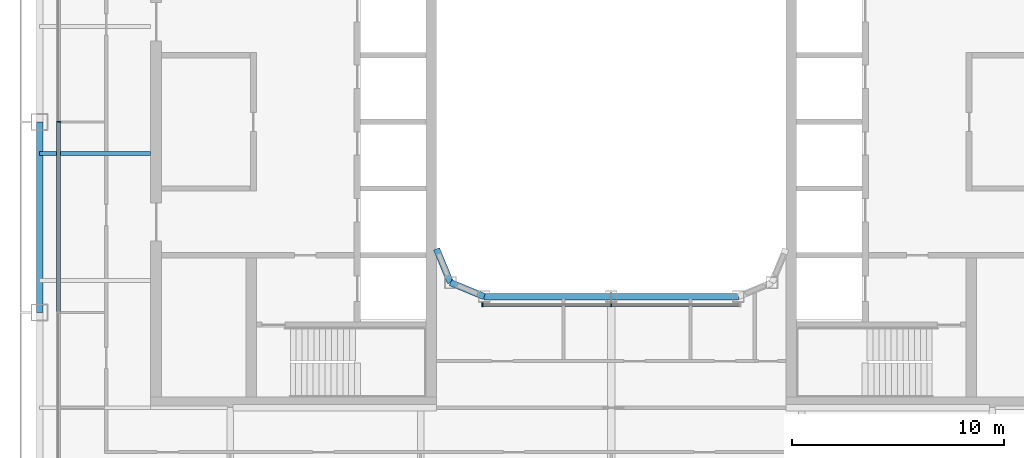
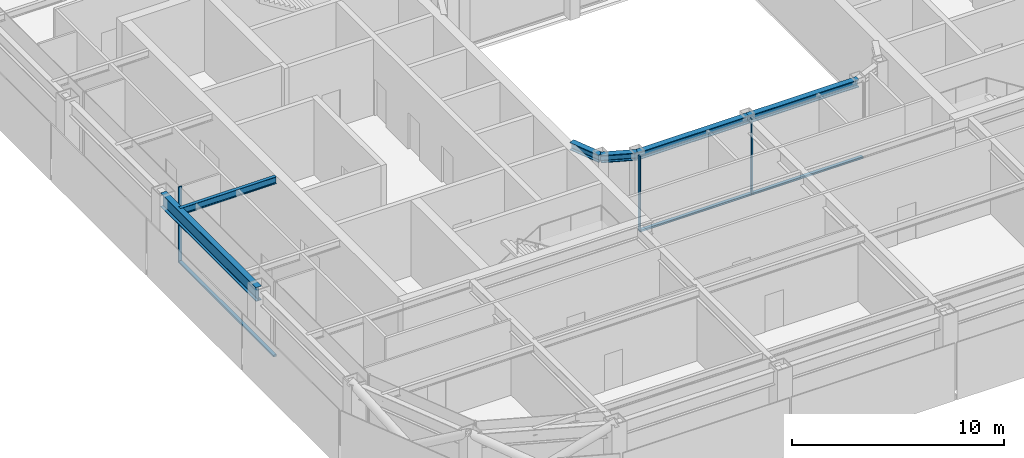
# One storey, part 3 of 23: 6 beams, 6 members, 2 elements without a shape of their own.
"""IFC4 building model written with IfcOpenShell, lengths in metres."""

from ifc_helpers import new_model, si_unit, direction, frame, origin, origin_2d, place, context, subcontext, project, spatial, rectangle, i_section, extrude, material, layer, layer_set, material_profile, profile_set, type_object, element, aggregate, save


model = new_model("IFC4")

# Units and contexts
model_context = context("Model", 3, precision=1e-05, world=origin(), true_north=direction((0.0, 1.0)))
body_context = subcontext(model_context, "Body", "Model", "MODEL_VIEW")
ifc_project = project(units=[si_unit("LENGTHUNIT", "METRE"), si_unit("AREAUNIT", "SQUARE_METRE"), si_unit("VOLUMEUNIT", "CUBIC_METRE"), si_unit("PLANEANGLEUNIT", "RADIAN"), si_unit("MASSUNIT", "GRAM", prefix="KILO")], contexts=[model_context])

# Site, building, storey
site_placement = place(None, origin())
site = spatial("IfcSite", under=ifc_project, at=site_placement, CompositionType="ELEMENT")
building_placement = place(site_placement, origin())
building = spatial("IfcBuilding", under=site, at=building_placement, Name="Siwar Civic Tower", CompositionType="ELEMENT")
storey_placement = place(building_placement, frame((0.0, 0.0, 242.199951171875)))
storey = spatial("IfcBuildingStorey", under=building, at=storey_placement, Name="L52", CompositionType="ELEMENT", Elevation=242.199951171875)

# Curtain wall, member
ifc_material_1 = material(Name="Aluminium and glass", Category="aluminium")
ifc_layer_1 = layer(ifc_material_1, 0.179931640625)
ifc_layer_set_1 = layer_set([ifc_layer_1], Name="Aluminium and glass")
curtain_wall_type_1 = type_object("IfcCurtainWallType", Name="ENV-CW-C", PredefinedType="NOTDEFINED", material=ifc_layer_set_1)
curtain_wall_1_placement = place(storey_placement, origin())
curtain_wall_1 = element("IfcCurtainWall", 1, at=curtain_wall_1_placement, inside=storey, type_object=curtain_wall_type_1, Name="Curtain wall C W", PredefinedType="NOTDEFINED")
ifc_material_2 = material(Name="Aluminium 6063-T6", Category="aluminium")
ifc_material_profile_1 = material_profile(ifc_material_2, rectangle(XDim=0.179931640625, YDim=0.06005859375, at=origin_2d()), Name="AL 180x60")
ifc_profile_set_1 = profile_set([ifc_material_profile_1], Name="Aluminium 6063-T6")
member_type_1 = type_object("IfcMemberType", Name="ENV-MULLION-C", PredefinedType="MULLION", material=ifc_profile_set_1)
member_1_placement = place(storey_placement, frame((-26.10009765625, 0.0, 0.0), z_axis=(0.0, 0.0, 1.0), x_axis=(1.0, 0.0, 0.0)))
member_1 = element("IfcMember", 2, at=member_1_placement, type_object=member_type_1, Name="Mullion C W 3", PredefinedType="MULLION", context=body_context, shape_type="SweptSolid", body=[
    extrude(rectangle(XDim=0.179931640625, YDim=0.06005859375, at=origin_2d()), origin(), (0.0, 0.0, 1.0), 4.35009765625),
])

# Curtain wall, members
ifc_material_3 = material(Name="Aluminium and glass", Category="aluminium")
ifc_layer_2 = layer(ifc_material_3, 0.179931640625)
ifc_layer_set_2 = layer_set([ifc_layer_2], Name="Aluminium and glass")
curtain_wall_type_2 = type_object("IfcCurtainWallType", Name="ENV-CW-W", PredefinedType="NOTDEFINED", material=ifc_layer_set_2)
curtain_wall_2_placement = place(storey_placement, origin())
curtain_wall_2 = element("IfcCurtainWall", 3, at=curtain_wall_2_placement, inside=storey, type_object=curtain_wall_type_2, Name="Curtain wall W WS", PredefinedType="NOTDEFINED")
ifc_material_4 = material(Name="Aluminium 6063-T6", Category="aluminium")
ifc_material_profile_2 = material_profile(ifc_material_4, rectangle(XDim=0.179931640625, YDim=0.06005859375, at=origin_2d()), Name="AL 180x60")
ifc_profile_set_2 = profile_set([ifc_material_profile_2], Name="Aluminium 6063-T6")
member_type_2 = type_object("IfcMemberType", Name="ENV-MULLION-W", PredefinedType="MULLION", material=ifc_profile_set_2)
member_2_placement = place(storey_placement, frame((-6.07666015625, -8.635009765625, 0.0), z_axis=(0.0, 0.0, 1.0), x_axis=(0.0, 1.0, 0.0)))
member_2 = element("IfcMember", 4, at=member_2_placement, type_object=member_type_2, Name="Mullion W WS 1", PredefinedType="MULLION", context=body_context, shape_type="SweptSolid", body=[
    extrude(rectangle(XDim=0.179931640625, YDim=0.06005859375, at=origin_2d()), origin(), (0.0, 0.0, 1.0), 4.35009765625),
])
member_3_placement = place(storey_placement, frame((0.0, -8.635009765625, 0.0), z_axis=(0.0, 0.0, 1.0), x_axis=(0.0, 1.0, 0.0)))
member_3 = element("IfcMember", 5, at=member_3_placement, type_object=member_type_2, Name="Mullion W WS 2", PredefinedType="MULLION", context=body_context, shape_type="SweptSolid", body=[
    extrude(rectangle(XDim=0.179931640625, YDim=0.06005859375, at=origin_2d()), origin(), (0.0, 0.0, 1.0), 4.35009765625),
])

# Member
ifc_material_5 = material(Name="Aluminium 6063-T6", Category="aluminium")
ifc_material_profile_3 = material_profile(ifc_material_5, rectangle(XDim=0.179931640625, YDim=0.10009765625, at=origin_2d()), Name="AL 180x100")
ifc_profile_set_3 = profile_set([ifc_material_profile_3], Name="Aluminium 6063-T6")
member_type_3 = type_object("IfcMemberType", Name="ENV-TRANSOM-C", PredefinedType="USERDEFINED", material=ifc_profile_set_3)
member_4_placement = place(storey_placement, frame((-26.10009765625, -0.030029296875, 0.050048828125), z_axis=(0.0, -1.0, 0.0), x_axis=(1.0, 0.0, 0.0)))
member_4 = element("IfcMember", 6, at=member_4_placement, type_object=member_type_3, Name="Transom C W 3", ObjectType="TRANSOM", PredefinedType="USERDEFINED", context=body_context, shape_type="SweptSolid", body=[
    extrude(rectangle(XDim=0.179931640625, YDim=0.10009765625, at=origin_2d()), origin(), (0.0, 0.0, 1.0), 8.93994140625),
])

aggregate(curtain_wall_1, [member_1, member_4])

ifc_material_6 = material(Name="Aluminium 6063-T6", Category="aluminium")
ifc_material_profile_4 = material_profile(ifc_material_6, rectangle(XDim=0.179931640625, YDim=0.10009765625, at=origin_2d()), Name="AL 180x100")
ifc_profile_set_4 = profile_set([ifc_material_profile_4], Name="Aluminium 6063-T6")
member_type_4 = type_object("IfcMemberType", Name="ENV-TRANSOM-W", PredefinedType="USERDEFINED", material=ifc_profile_set_4)
member_5_placement = place(storey_placement, frame((-6.046630859375, -8.635009765625, 0.050048828125), z_axis=(1.0, 0.0, 0.0), x_axis=(0.0, 1.0, 0.0)))
member_5 = element("IfcMember", 7, at=member_5_placement, type_object=member_type_4, Name="Transom W WS 1", ObjectType="TRANSOM", PredefinedType="USERDEFINED", context=body_context, shape_type="SweptSolid", body=[
    extrude(rectangle(XDim=0.179931640625, YDim=0.10009765625, at=origin_2d()), origin(), (0.0, 0.0, 1.0), 6.0166015625),
])

member_6_placement = place(storey_placement, frame((0.030029296875, -8.635009765625, 0.050048828125), z_axis=(1.0, 0.0, 0.0), x_axis=(0.0, 1.0, 0.0)))
member_6 = element("IfcMember", 8, at=member_6_placement, type_object=member_type_4, Name="Transom W WS 2", ObjectType="TRANSOM", PredefinedType="USERDEFINED", context=body_context, shape_type="SweptSolid", body=[
    extrude(rectangle(XDim=0.179931640625, YDim=0.10009765625, at=origin_2d()), origin(), (0.0, 0.0, 1.0), 6.0166015625),
])

aggregate(curtain_wall_2, [member_2, member_3, member_5, member_6])

# Beams
ifc_material_7 = material(Name="Steel S355", Category="steel")
ifc_material_profile_5 = material_profile(ifc_material_7, i_section(OverallWidth=0.179931640625, OverallDepth=0.39990234375, WebThickness=0.008544921875, FlangeThickness=0.013427734375, FilletRadius=0.02099609375, at=origin_2d()), Name="IPE400")
ifc_profile_set_5 = profile_set([ifc_material_profile_5], Name="Steel S355")
beam_type_1 = type_object("IfcBeamType", Name="STR-FB-IPE400", PredefinedType="JOIST", material=ifc_profile_set_5)
beam_1_placement = place(storey_placement, frame((-27.0, -1.5, 4.150146484375), z_axis=(1.0, 0.0, 0.0), x_axis=(0.0, 1.0, 0.0)))
element("IfcBeam", 9, at=beam_1_placement, inside=storey, type_object=beam_type_1, Name="L52/bm/F023", PredefinedType="JOIST", context=body_context, shape_type="SweptSolid", body=[
    extrude(i_section(OverallWidth=0.179931640625, OverallDepth=0.39990234375, WebThickness=0.008544921875, FlangeThickness=0.013427734375, FilletRadius=0.02099609375, at=origin_2d()), origin(), (0.0, 0.0, 1.0), 5.25),
])
ifc_material_8 = material(Name="Steel S355", Category="steel")
ifc_material_profile_6 = material_profile(ifc_material_8, i_section(OverallWidth=0.306884765625, OverallDepth=0.431884765625, WebThickness=0.02099609375, FlangeThickness=0.0400390625, FilletRadius=0.027099609375, at=origin_2d()), Name="HEM400")
ifc_profile_set_6 = profile_set([ifc_material_profile_6], Name="Steel S355")
beam_type_2 = type_object("IfcBeamType", Name="STR-RB-HEM400", PredefinedType="BEAM", material=ifc_profile_set_6)
beam_2_placement = place(storey_placement, frame((-7.591064453125, -7.591064453125, 4.134033203125), z_axis=(0.923901072997, -0.382631424892, 0.0), x_axis=(0.382631424892, 0.923901072997, 0.0)))
element("IfcBeam", 10, at=beam_2_placement, inside=storey, type_object=beam_type_2, Name="L52/bm/RS0", PredefinedType="BEAM", context=body_context, shape_type="SweptSolid", body=[
    extrude(i_section(OverallWidth=0.306884765625, OverallDepth=0.431884765625, WebThickness=0.02099609375, FlangeThickness=0.0400390625, FilletRadius=0.027099609375, at=origin_2d()), origin(), (0.0, 0.0, 1.0), 1.72216796875),
])
for number, where, z_axis, x_axis, name in (
    (11, (-6.0, -8.25, 4.134033203125), (1.0, 0.0, 0.0), (0.0, 1.0, 0.0), "L52/bm/RS1"),
    (12, (0.0, -8.25, 4.134033203125), (1.0, 0.0, 0.0), (0.0, 1.0, 0.0), "L52/bm/RS2"),
):
    element("IfcBeam", number, at=place(storey_placement, frame(where, z_axis=z_axis, x_axis=x_axis)), inside=storey, type_object=beam_type_2, Name=name, PredefinedType="BEAM", context=body_context, shape_type="SweptSolid", body=[
        extrude(i_section(OverallWidth=0.306884765625, OverallDepth=0.431884765625, WebThickness=0.02099609375, FlangeThickness=0.0400390625, FilletRadius=0.027099609375, at=origin_2d()), origin(), (0.0, 0.0, 1.0), 6.0),
    ])
beam_3_placement = place(storey_placement, frame((-7.591064453125, -7.591064453125, 4.134033203125), z_axis=(-0.382631424892, 0.923901072997, 0.0), x_axis=(-0.923901072997, -0.382631424892, 0.0)))
element("IfcBeam", 13, at=beam_3_placement, inside=storey, type_object=beam_type_2, Name="L52/bm/RSEW", PredefinedType="BEAM", context=body_context, shape_type="SweptSolid", body=[
    extrude(i_section(OverallWidth=0.306884765625, OverallDepth=0.431884765625, WebThickness=0.02099609375, FlangeThickness=0.0400390625, FilletRadius=0.027099609375, at=origin_2d()), origin(), (0.0, 0.0, 1.0), 1.72216796875),
])
ifc_material_9 = material(Name="Steel S355", Category="steel")
ifc_material_profile_7 = material_profile(ifc_material_9, i_section(OverallWidth=0.300048828125, OverallDepth=0.800048828125, WebThickness=0.017578125, FlangeThickness=0.032958984375, FilletRadius=0.030029296875, at=origin_2d()), Name="HEB800")
ifc_profile_set_7 = profile_set([ifc_material_profile_7], Name="Steel S355")
beam_type_3 = type_object("IfcBeamType", Name="STR-SB-HEB800", PredefinedType="BEAM", material=ifc_profile_set_7)
beam_4_placement = place(storey_placement, frame((-27.0, 0.0, 3.949951171875), z_axis=(0.0, -1.0, 0.0), x_axis=(1.0, 0.0, 0.0)))
element("IfcBeam", 14, at=beam_4_placement, inside=storey, type_object=beam_type_3, Name="L52/bm/SW-2", PredefinedType="BEAM", context=body_context, shape_type="SweptSolid", body=[
    extrude(i_section(OverallWidth=0.300048828125, OverallDepth=0.800048828125, WebThickness=0.017578125, FlangeThickness=0.032958984375, FilletRadius=0.030029296875, at=origin_2d()), origin(), (0.0, 0.0, 1.0), 9.0),
])

save(model, "model.ifc")
